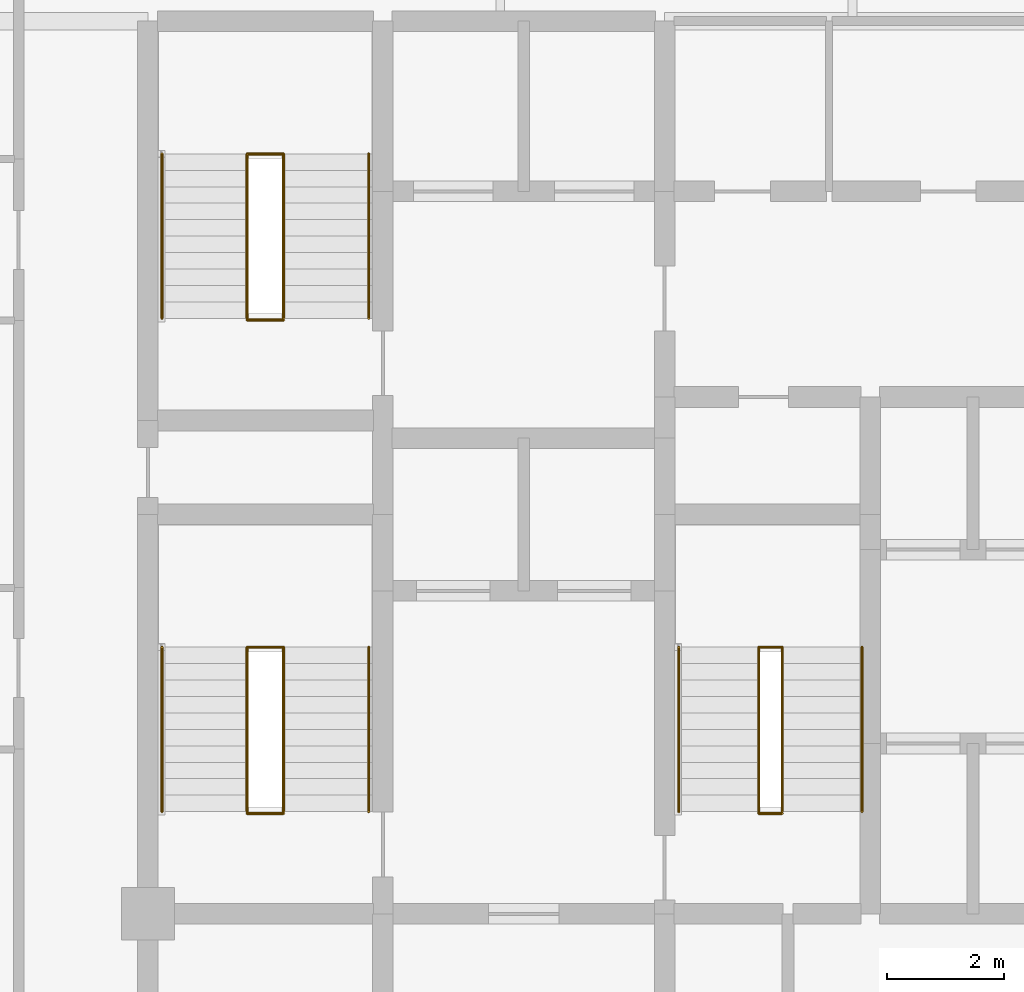
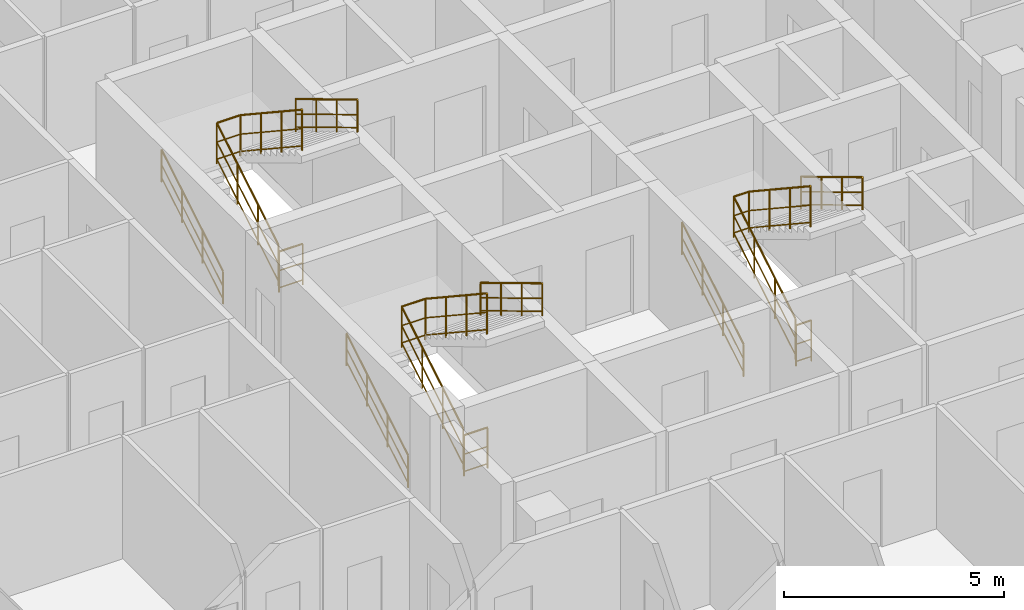
# One storey, part 32 of 32: 12 railings.
"""IFC4 building model written with IfcOpenShell, lengths in metres."""

from ifc_helpers import new_model, si_unit, direction, frame, origin, origin_2d, place, context, subcontext, project, spatial, circle, extrude, material, layer, layer_set, type_object, element, save


model = new_model("IFC4")

# Units and contexts
model_context = context("Model", 3, precision=1e-05, world=origin(), true_north=direction((0.0, 1.0)))
body_context = subcontext(model_context, "Body", "Model", "MODEL_VIEW")
ifc_project = project(units=[si_unit("LENGTHUNIT", "METRE"), si_unit("AREAUNIT", "SQUARE_METRE"), si_unit("VOLUMEUNIT", "CUBIC_METRE"), si_unit("PLANEANGLEUNIT", "RADIAN"), si_unit("MASSUNIT", "GRAM", prefix="KILO")], contexts=[model_context])

# Site, building, storey
site_placement = place(None, origin())
site = spatial("IfcSite", under=ifc_project, at=site_placement, CompositionType="ELEMENT")
building_placement = place(site_placement, origin())
building = spatial("IfcBuilding", under=site, at=building_placement, Name="Keshet Zoharim Tower", CompositionType="ELEMENT")
storey_placement = place(building_placement, frame((0.0, 0.0, 152.0)))
storey = spatial("IfcBuildingStorey", under=building, at=storey_placement, Name="L37", CompositionType="ELEMENT", Elevation=152.0)

# Railings
ifc_material = material(Name="Steel S355", Category="steel")
ifc_layer_1 = layer(ifc_material, 0.050048828125)
ifc_layer_set_1 = layer_set([ifc_layer_1], Name="Steel S355")
railing_type_1 = type_object("IfcRailingType", Name="RL-HND-092", PredefinedType="HANDRAIL", material=ifc_layer_set_1)
railing_1_placement = place(storey_placement, frame((15.239990234375, 24.43994140625, 0.168212890625)))
element("IfcRailing", 1, at=railing_1_placement, inside=storey, type_object=railing_type_1, Name="L37 ST-01 Flight 1 Wall Handrail", PredefinedType="HANDRAIL", context=body_context, shape_type="SweptSolid", body=[
    extrude(circle(Radius=0.02392578125, at=origin_2d()), frame((0.0, 0.0, 0.89599609375), z_axis=(0.0, 0.857242210791, 0.514913383045), x_axis=(-1.0, 0.0, 0.0)), (0.0, 0.0, 1.0), 3.266357421875),
    extrude(circle(Radius=0.01611328125, at=origin_2d()), frame((0.0, 0.0, 0.478271484375), z_axis=(0.0, 0.857242210791, 0.514913383045), x_axis=(-1.0, 0.0, 0.0)), (0.0, 0.0, 1.0), 3.266357421875),
    extrude(circle(Radius=0.01611328125, at=origin_2d()), frame((0.0, 0.0, 0.1201171875), z_axis=(0.0, 0.857242210791, 0.514913383045), x_axis=(-1.0, 0.0, 0.0)), (0.0, 0.0, 1.0), 3.266357421875),
    extrude(circle(Radius=0.02099609375, at=origin_2d()), origin(), (0.0, 0.0, 1.0), 0.871826171875),
    extrude(circle(Radius=0.02099609375, at=origin_2d()), frame((0.0, 0.933349609375, 0.560546875)), (0.0, 0.0, 1.0), 0.871826171875),
    extrude(circle(Radius=0.02099609375, at=origin_2d()), frame((0.0, 1.86669921875, 1.121337890625)), (0.0, 0.0, 1.0), 0.871826171875),
    extrude(circle(Radius=0.02099609375, at=origin_2d()), frame((0.0, 2.800048828125, 1.681884765625)), (0.0, 0.0, 1.0), 0.871826171875),
])
railing_2_placement = place(storey_placement, frame((18.760009765625, 27.239990234375, 2.018310546875)))
element("IfcRailing", 2, at=railing_2_placement, inside=storey, type_object=railing_type_1, Name="L37 ST-01 Flight 2 Wall Handrail", PredefinedType="HANDRAIL", context=body_context, shape_type="SweptSolid", body=[
    extrude(circle(Radius=0.02392578125, at=origin_2d()), frame((0.0, 0.0, 0.89599609375), z_axis=(0.0, -0.857275202839, 0.514858452973), x_axis=(1.0, 0.0, 0.0)), (0.0, 0.0, 1.0), 3.26611328125),
    extrude(circle(Radius=0.01611328125, at=origin_2d()), frame((0.0, 0.0, 0.478271484375), z_axis=(0.0, -0.857275202839, 0.514858452973), x_axis=(1.0, 0.0, 0.0)), (0.0, 0.0, 1.0), 3.26611328125),
    extrude(circle(Radius=0.01611328125, at=origin_2d()), frame((0.0, 0.0, 0.1201171875), z_axis=(0.0, -0.857275202839, 0.514858452973), x_axis=(1.0, 0.0, 0.0)), (0.0, 0.0, 1.0), 3.26611328125),
    extrude(circle(Radius=0.02099609375, at=origin_2d()), origin(), (0.0, 0.0, 1.0), 0.871826171875),
    extrude(circle(Radius=0.02099609375, at=origin_2d()), frame((0.0, -0.933349609375, 0.560546875)), (0.0, 0.0, 1.0), 0.871826171875),
    extrude(circle(Radius=0.02099609375, at=origin_2d()), frame((0.0, -1.86669921875, 1.12109375)), (0.0, 0.0, 1.0), 0.871826171875),
    extrude(circle(Radius=0.02099609375, at=origin_2d()), frame((0.0, -2.800048828125, 1.681640625)), (0.0, 0.0, 1.0), 0.871826171875),
])
railing_3_placement = place(storey_placement, frame((15.239990234375, 32.840087890625, 0.168212890625)))
element("IfcRailing", 3, at=railing_3_placement, inside=storey, type_object=railing_type_1, Name="L37 ST-02 Flight 1 Wall Handrail", PredefinedType="HANDRAIL", context=body_context, shape_type="SweptSolid", body=[
    extrude(circle(Radius=0.02392578125, at=origin_2d()), frame((0.0, 0.0, 0.89599609375), z_axis=(0.0, 0.857222391501, 0.514946377315), x_axis=(-1.0, 0.0, 0.0)), (0.0, 0.0, 1.0), 3.26611328125),
    extrude(circle(Radius=0.01611328125, at=origin_2d()), frame((0.0, 0.0, 0.478271484375), z_axis=(0.0, 0.857222391501, 0.514946377315), x_axis=(-1.0, 0.0, 0.0)), (0.0, 0.0, 1.0), 3.26611328125),
    extrude(circle(Radius=0.01611328125, at=origin_2d()), frame((0.0, 0.0, 0.1201171875), z_axis=(0.0, 0.857222391501, 0.514946377315), x_axis=(-1.0, 0.0, 0.0)), (0.0, 0.0, 1.0), 3.26611328125),
    extrude(circle(Radius=0.02099609375, at=origin_2d()), origin(), (0.0, 0.0, 1.0), 0.871826171875),
    extrude(circle(Radius=0.02099609375, at=origin_2d()), frame((0.0, 0.933349609375, 0.560546875)), (0.0, 0.0, 1.0), 0.871826171875),
    extrude(circle(Radius=0.02099609375, at=origin_2d()), frame((0.0, 1.866455078125, 1.121337890625)), (0.0, 0.0, 1.0), 0.871826171875),
    extrude(circle(Radius=0.02099609375, at=origin_2d()), frame((0.0, 2.7998046875, 1.681884765625)), (0.0, 0.0, 1.0), 0.871826171875),
])
railing_4_placement = place(storey_placement, frame((18.760009765625, 35.639892578125, 2.018310546875)))
element("IfcRailing", 4, at=railing_4_placement, inside=storey, type_object=railing_type_1, Name="L37 ST-02 Flight 2 Wall Handrail", PredefinedType="HANDRAIL", context=body_context, shape_type="SweptSolid", body=[
    extrude(circle(Radius=0.02392578125, at=origin_2d()), frame((0.0, 0.0, 0.89599609375), z_axis=(0.0, -0.857255387014, 0.514891446264), x_axis=(1.0, 0.0, 0.0)), (0.0, 0.0, 1.0), 3.26611328125),
    extrude(circle(Radius=0.01611328125, at=origin_2d()), frame((0.0, 0.0, 0.478271484375), z_axis=(0.0, -0.857255387014, 0.514891446264), x_axis=(1.0, 0.0, 0.0)), (0.0, 0.0, 1.0), 3.26611328125),
    extrude(circle(Radius=0.01611328125, at=origin_2d()), frame((0.0, 0.0, 0.1201171875), z_axis=(0.0, -0.857255387014, 0.514891446264), x_axis=(1.0, 0.0, 0.0)), (0.0, 0.0, 1.0), 3.26611328125),
    extrude(circle(Radius=0.02099609375, at=origin_2d()), origin(), (0.0, 0.0, 1.0), 0.871826171875),
    extrude(circle(Radius=0.02099609375, at=origin_2d()), frame((0.0, -0.933349609375, 0.560546875)), (0.0, 0.0, 1.0), 0.871826171875),
    extrude(circle(Radius=0.02099609375, at=origin_2d()), frame((0.0, -1.866455078125, 1.12109375)), (0.0, 0.0, 1.0), 0.871826171875),
    extrude(circle(Radius=0.02099609375, at=origin_2d()), frame((0.0, -2.7998046875, 1.681640625)), (0.0, 0.0, 1.0), 0.871826171875),
])
railing_5_placement = place(storey_placement, frame((24.0400390625, 24.43994140625, 0.168212890625)))
element("IfcRailing", 5, at=railing_5_placement, inside=storey, type_object=railing_type_1, Name="L37 ST-03 Flight 1 Wall Handrail", PredefinedType="HANDRAIL", context=body_context, shape_type="SweptSolid", body=[
    extrude(circle(Radius=0.02392578125, at=origin_2d()), frame((0.0, 0.0, 0.89599609375), z_axis=(0.0, 0.857242210791, 0.514913383045), x_axis=(-1.0, 0.0, 0.0)), (0.0, 0.0, 1.0), 3.266357421875),
    extrude(circle(Radius=0.01611328125, at=origin_2d()), frame((0.0, 0.0, 0.478271484375), z_axis=(0.0, 0.857242210791, 0.514913383045), x_axis=(-1.0, 0.0, 0.0)), (0.0, 0.0, 1.0), 3.266357421875),
    extrude(circle(Radius=0.01611328125, at=origin_2d()), frame((0.0, 0.0, 0.1201171875), z_axis=(0.0, 0.857242210791, 0.514913383045), x_axis=(-1.0, 0.0, 0.0)), (0.0, 0.0, 1.0), 3.266357421875),
    extrude(circle(Radius=0.02099609375, at=origin_2d()), origin(), (0.0, 0.0, 1.0), 0.871826171875),
    extrude(circle(Radius=0.02099609375, at=origin_2d()), frame((0.0, 0.933349609375, 0.560546875)), (0.0, 0.0, 1.0), 0.871826171875),
    extrude(circle(Radius=0.02099609375, at=origin_2d()), frame((0.0, 1.86669921875, 1.121337890625)), (0.0, 0.0, 1.0), 0.871826171875),
    extrude(circle(Radius=0.02099609375, at=origin_2d()), frame((0.0, 2.800048828125, 1.681884765625)), (0.0, 0.0, 1.0), 0.871826171875),
])
railing_6_placement = place(storey_placement, frame((27.159912109375, 27.239990234375, 2.018310546875)))
element("IfcRailing", 6, at=railing_6_placement, inside=storey, type_object=railing_type_1, Name="L37 ST-03 Flight 2 Wall Handrail", PredefinedType="HANDRAIL", context=body_context, shape_type="SweptSolid", body=[
    extrude(circle(Radius=0.02392578125, at=origin_2d()), frame((0.0, 0.0, 0.89599609375), z_axis=(0.0, -0.857275202839, 0.514858452973), x_axis=(1.0, 0.0, 0.0)), (0.0, 0.0, 1.0), 3.26611328125),
    extrude(circle(Radius=0.01611328125, at=origin_2d()), frame((0.0, 0.0, 0.478271484375), z_axis=(0.0, -0.857275202839, 0.514858452973), x_axis=(1.0, 0.0, 0.0)), (0.0, 0.0, 1.0), 3.26611328125),
    extrude(circle(Radius=0.01611328125, at=origin_2d()), frame((0.0, 0.0, 0.1201171875), z_axis=(0.0, -0.857275202839, 0.514858452973), x_axis=(1.0, 0.0, 0.0)), (0.0, 0.0, 1.0), 3.26611328125),
    extrude(circle(Radius=0.02099609375, at=origin_2d()), origin(), (0.0, 0.0, 1.0), 0.871826171875),
    extrude(circle(Radius=0.02099609375, at=origin_2d()), frame((0.0, -0.933349609375, 0.560546875)), (0.0, 0.0, 1.0), 0.871826171875),
    extrude(circle(Radius=0.02099609375, at=origin_2d()), frame((0.0, -1.86669921875, 1.12109375)), (0.0, 0.0, 1.0), 0.871826171875),
    extrude(circle(Radius=0.02099609375, at=origin_2d()), frame((0.0, -2.800048828125, 1.681640625)), (0.0, 0.0, 1.0), 0.871826171875),
])
ifc_layer_2 = layer(ifc_material, 0.06005859375)
ifc_layer_set_2 = layer_set([ifc_layer_2], Name="Steel S355")
railing_type_2 = type_object("IfcRailingType", Name="RL-STG-115", PredefinedType="GUARDRAIL", material=ifc_layer_set_2)
railing_7_placement = place(storey_placement, frame((16.68994140625, 24.43994140625, 0.168212890625)))
element("IfcRailing", 7, at=railing_7_placement, inside=storey, type_object=railing_type_2, Name="L37 ST-01 Inner Well Guardrail", PredefinedType="GUARDRAIL", context=body_context, shape_type="SweptSolid", body=[
    extrude(circle(Radius=0.02392578125, at=origin_2d()), frame((0.0, 0.0, 1.1259765625), z_axis=(0.0, 0.857242210791, 0.514913383045), x_axis=(-1.0, 0.0, 0.0)), (0.0, 0.0, 1.0), 3.266357421875),
    extrude(circle(Radius=0.01611328125, at=origin_2d()), frame((0.0, 0.0, 0.597900390625), z_axis=(0.0, 0.857242210791, 0.514913383045), x_axis=(-1.0, 0.0, 0.0)), (0.0, 0.0, 1.0), 3.266357421875),
    extrude(circle(Radius=0.01611328125, at=origin_2d()), frame((0.0, 0.0, 0.1201171875), z_axis=(0.0, 0.857242210791, 0.514913383045), x_axis=(-1.0, 0.0, 0.0)), (0.0, 0.0, 1.0), 3.266357421875),
    extrude(circle(Radius=0.02392578125, at=origin_2d()), frame((0.0, 2.800048828125, 2.8076171875), z_axis=(1.0, 0.0, 0.0), x_axis=(0.0, 1.0, 0.0)), (0.0, 0.0, 1.0), 0.6201171875),
    extrude(circle(Radius=0.01611328125, at=origin_2d()), frame((0.0, 2.800048828125, 2.27978515625), z_axis=(1.0, 0.0, 0.0), x_axis=(0.0, 1.0, 0.0)), (0.0, 0.0, 1.0), 0.6201171875),
    extrude(circle(Radius=0.01611328125, at=origin_2d()), frame((0.0, 2.800048828125, 1.802001953125), z_axis=(1.0, 0.0, 0.0), x_axis=(0.0, 1.0, 0.0)), (0.0, 0.0, 1.0), 0.6201171875),
    extrude(circle(Radius=0.02392578125, at=origin_2d()), frame((0.6201171875, 2.800048828125, 2.8076171875), z_axis=(0.0, -0.83435981716, 0.551220187865), x_axis=(1.0, 0.0, 0.0)), (0.0, 0.0, 1.0), 3.35595703125),
    extrude(circle(Radius=0.01611328125, at=origin_2d()), frame((0.6201171875, 2.800048828125, 2.27978515625), z_axis=(0.0, -0.83435981716, 0.551220187865), x_axis=(1.0, 0.0, 0.0)), (0.0, 0.0, 1.0), 3.35595703125),
    extrude(circle(Radius=0.01611328125, at=origin_2d()), frame((0.6201171875, 2.800048828125, 1.802001953125), z_axis=(0.0, -0.83435981716, 0.551220187865), x_axis=(1.0, 0.0, 0.0)), (0.0, 0.0, 1.0), 3.35595703125),
    extrude(circle(Radius=0.02099609375, at=origin_2d()), origin(), (0.0, 0.0, 1.0), 1.101806640625),
    extrude(circle(Radius=0.02099609375, at=origin_2d()), frame((0.0, 0.933349609375, 0.560546875)), (0.0, 0.0, 1.0), 1.101806640625),
    extrude(circle(Radius=0.02099609375, at=origin_2d()), frame((0.0, 1.86669921875, 1.121337890625)), (0.0, 0.0, 1.0), 1.101806640625),
    extrude(circle(Radius=0.02099609375, at=origin_2d()), frame((0.0, 2.800048828125, 1.681884765625)), (0.0, 0.0, 1.0), 1.101806640625),
    extrude(circle(Radius=0.02099609375, at=origin_2d()), frame((0.6201171875, 2.800048828125, 1.681884765625)), (0.0, 0.0, 1.0), 1.101806640625),
    extrude(circle(Radius=0.02099609375, at=origin_2d()), frame((0.6201171875, 1.86669921875, 2.298583984375)), (0.0, 0.0, 1.0), 1.101806640625),
    extrude(circle(Radius=0.02099609375, at=origin_2d()), frame((0.6201171875, 0.933349609375, 2.9150390625)), (0.0, 0.0, 1.0), 1.101806640625),
    extrude(circle(Radius=0.02099609375, at=origin_2d()), frame((0.6201171875, 0.0, 3.53173828125)), (0.0, 0.0, 1.0), 1.101806640625),
])
railing_8_placement = place(storey_placement, frame((16.68994140625, 24.409912109375, 0.0)))
element("IfcRailing", 8, at=railing_8_placement, inside=storey, type_object=railing_type_2, Name="L37 ST-01 Stairwell Floor Guardrail", PredefinedType="GUARDRAIL", context=body_context, shape_type="SweptSolid", body=[
    extrude(circle(Radius=0.02392578125, at=origin_2d()), frame((0.0, 0.0, 1.1259765625), z_axis=(1.0, 0.0, 0.0), x_axis=(0.0, 1.0, 0.0)), (0.0, 0.0, 1.0), 0.6201171875),
    extrude(circle(Radius=0.01611328125, at=origin_2d()), frame((0.0, 0.0, 0.597900390625), z_axis=(1.0, 0.0, 0.0), x_axis=(0.0, 1.0, 0.0)), (0.0, 0.0, 1.0), 0.6201171875),
    extrude(circle(Radius=0.01611328125, at=origin_2d()), frame((0.0, 0.0, 0.1201171875), z_axis=(1.0, 0.0, 0.0), x_axis=(0.0, 1.0, 0.0)), (0.0, 0.0, 1.0), 0.6201171875),
    extrude(circle(Radius=0.02099609375, at=origin_2d()), origin(), (0.0, 0.0, 1.0), 1.101806640625),
    extrude(circle(Radius=0.02099609375, at=origin_2d()), frame((0.6201171875, 0.0, 0.0)), (0.0, 0.0, 1.0), 1.101806640625),
])
railing_9_placement = place(storey_placement, frame((16.68994140625, 32.840087890625, 0.168212890625)))
element("IfcRailing", 9, at=railing_9_placement, inside=storey, type_object=railing_type_2, Name="L37 ST-02 Inner Well Guardrail", PredefinedType="GUARDRAIL", context=body_context, shape_type="SweptSolid", body=[
    extrude(circle(Radius=0.02392578125, at=origin_2d()), frame((0.0, 0.0, 1.1259765625), z_axis=(0.0, 0.857222391501, 0.514946377315), x_axis=(-1.0, 0.0, 0.0)), (0.0, 0.0, 1.0), 3.26611328125),
    extrude(circle(Radius=0.01611328125, at=origin_2d()), frame((0.0, 0.0, 0.597900390625), z_axis=(0.0, 0.857222391501, 0.514946377315), x_axis=(-1.0, 0.0, 0.0)), (0.0, 0.0, 1.0), 3.26611328125),
    extrude(circle(Radius=0.01611328125, at=origin_2d()), frame((0.0, 0.0, 0.1201171875), z_axis=(0.0, 0.857222391501, 0.514946377315), x_axis=(-1.0, 0.0, 0.0)), (0.0, 0.0, 1.0), 3.26611328125),
    extrude(circle(Radius=0.02392578125, at=origin_2d()), frame((0.0, 2.7998046875, 2.8076171875), z_axis=(1.0, 0.0, 0.0), x_axis=(0.0, 1.0, 0.0)), (0.0, 0.0, 1.0), 0.6201171875),
    extrude(circle(Radius=0.01611328125, at=origin_2d()), frame((0.0, 2.7998046875, 2.27978515625), z_axis=(1.0, 0.0, 0.0), x_axis=(0.0, 1.0, 0.0)), (0.0, 0.0, 1.0), 0.6201171875),
    extrude(circle(Radius=0.01611328125, at=origin_2d()), frame((0.0, 2.7998046875, 1.802001953125), z_axis=(1.0, 0.0, 0.0), x_axis=(0.0, 1.0, 0.0)), (0.0, 0.0, 1.0), 0.6201171875),
    extrude(circle(Radius=0.02392578125, at=origin_2d()), frame((0.6201171875, 2.7998046875, 2.8076171875), z_axis=(0.0, -0.834337710781, 0.551253647941), x_axis=(1.0, 0.0, 0.0)), (0.0, 0.0, 1.0), 3.355712890625),
    extrude(circle(Radius=0.01611328125, at=origin_2d()), frame((0.6201171875, 2.7998046875, 2.27978515625), z_axis=(0.0, -0.834337710781, 0.551253647941), x_axis=(1.0, 0.0, 0.0)), (0.0, 0.0, 1.0), 3.355712890625),
    extrude(circle(Radius=0.01611328125, at=origin_2d()), frame((0.6201171875, 2.7998046875, 1.802001953125), z_axis=(0.0, -0.834337710781, 0.551253647941), x_axis=(1.0, 0.0, 0.0)), (0.0, 0.0, 1.0), 3.355712890625),
    extrude(circle(Radius=0.02099609375, at=origin_2d()), origin(), (0.0, 0.0, 1.0), 1.101806640625),
    extrude(circle(Radius=0.02099609375, at=origin_2d()), frame((0.0, 0.933349609375, 0.560546875)), (0.0, 0.0, 1.0), 1.101806640625),
    extrude(circle(Radius=0.02099609375, at=origin_2d()), frame((0.0, 1.866455078125, 1.121337890625)), (0.0, 0.0, 1.0), 1.101806640625),
    extrude(circle(Radius=0.02099609375, at=origin_2d()), frame((0.0, 2.7998046875, 1.681884765625)), (0.0, 0.0, 1.0), 1.101806640625),
    extrude(circle(Radius=0.02099609375, at=origin_2d()), frame((0.6201171875, 2.7998046875, 1.681884765625)), (0.0, 0.0, 1.0), 1.101806640625),
    extrude(circle(Radius=0.02099609375, at=origin_2d()), frame((0.6201171875, 1.866455078125, 2.298583984375)), (0.0, 0.0, 1.0), 1.101806640625),
    extrude(circle(Radius=0.02099609375, at=origin_2d()), frame((0.6201171875, 0.933349609375, 2.9150390625)), (0.0, 0.0, 1.0), 1.101806640625),
    extrude(circle(Radius=0.02099609375, at=origin_2d()), frame((0.6201171875, 0.0, 3.53173828125)), (0.0, 0.0, 1.0), 1.101806640625),
])
railing_10_placement = place(storey_placement, frame((16.68994140625, 32.81005859375, 0.0)))
element("IfcRailing", 10, at=railing_10_placement, inside=storey, type_object=railing_type_2, Name="L37 ST-02 Stairwell Floor Guardrail", PredefinedType="GUARDRAIL", context=body_context, shape_type="SweptSolid", body=[
    extrude(circle(Radius=0.02392578125, at=origin_2d()), frame((0.0, 0.0, 1.1259765625), z_axis=(1.0, 0.0, 0.0), x_axis=(0.0, 1.0, 0.0)), (0.0, 0.0, 1.0), 0.6201171875),
    extrude(circle(Radius=0.01611328125, at=origin_2d()), frame((0.0, 0.0, 0.597900390625), z_axis=(1.0, 0.0, 0.0), x_axis=(0.0, 1.0, 0.0)), (0.0, 0.0, 1.0), 0.6201171875),
    extrude(circle(Radius=0.01611328125, at=origin_2d()), frame((0.0, 0.0, 0.1201171875), z_axis=(1.0, 0.0, 0.0), x_axis=(0.0, 1.0, 0.0)), (0.0, 0.0, 1.0), 0.6201171875),
    extrude(circle(Radius=0.02099609375, at=origin_2d()), origin(), (0.0, 0.0, 1.0), 1.101806640625),
    extrude(circle(Radius=0.02099609375, at=origin_2d()), frame((0.6201171875, 0.0, 0.0)), (0.0, 0.0, 1.0), 1.101806640625),
])
railing_11_placement = place(storey_placement, frame((25.39990234375, 24.43994140625, 0.168212890625)))
element("IfcRailing", 11, at=railing_11_placement, inside=storey, type_object=railing_type_2, Name="L37 ST-03 Inner Well Guardrail", PredefinedType="GUARDRAIL", context=body_context, shape_type="SweptSolid", body=[
    extrude(circle(Radius=0.02392578125, at=origin_2d()), frame((0.0, 0.0, 1.1259765625), z_axis=(0.0, 0.857242210791, 0.514913383045), x_axis=(-1.0, 0.0, 0.0)), (0.0, 0.0, 1.0), 3.266357421875),
    extrude(circle(Radius=0.01611328125, at=origin_2d()), frame((0.0, 0.0, 0.597900390625), z_axis=(0.0, 0.857242210791, 0.514913383045), x_axis=(-1.0, 0.0, 0.0)), (0.0, 0.0, 1.0), 3.266357421875),
    extrude(circle(Radius=0.01611328125, at=origin_2d()), frame((0.0, 0.0, 0.1201171875), z_axis=(0.0, 0.857242210791, 0.514913383045), x_axis=(-1.0, 0.0, 0.0)), (0.0, 0.0, 1.0), 3.266357421875),
    extrude(circle(Radius=0.02392578125, at=origin_2d()), frame((0.0, 2.800048828125, 2.8076171875), z_axis=(1.0, 0.0, 0.0), x_axis=(0.0, 1.0, 0.0)), (0.0, 0.0, 1.0), 0.400146484375),
    extrude(circle(Radius=0.01611328125, at=origin_2d()), frame((0.0, 2.800048828125, 2.27978515625), z_axis=(1.0, 0.0, 0.0), x_axis=(0.0, 1.0, 0.0)), (0.0, 0.0, 1.0), 0.400146484375),
    extrude(circle(Radius=0.01611328125, at=origin_2d()), frame((0.0, 2.800048828125, 1.802001953125), z_axis=(1.0, 0.0, 0.0), x_axis=(0.0, 1.0, 0.0)), (0.0, 0.0, 1.0), 0.400146484375),
    extrude(circle(Radius=0.02392578125, at=origin_2d()), frame((0.400146484375, 2.800048828125, 2.8076171875), z_axis=(0.0, -0.83435981716, 0.551220187865), x_axis=(1.0, 0.0, 0.0)), (0.0, 0.0, 1.0), 3.35595703125),
    extrude(circle(Radius=0.01611328125, at=origin_2d()), frame((0.400146484375, 2.800048828125, 2.27978515625), z_axis=(0.0, -0.83435981716, 0.551220187865), x_axis=(1.0, 0.0, 0.0)), (0.0, 0.0, 1.0), 3.35595703125),
    extrude(circle(Radius=0.01611328125, at=origin_2d()), frame((0.400146484375, 2.800048828125, 1.802001953125), z_axis=(0.0, -0.83435981716, 0.551220187865), x_axis=(1.0, 0.0, 0.0)), (0.0, 0.0, 1.0), 3.35595703125),
    extrude(circle(Radius=0.02099609375, at=origin_2d()), origin(), (0.0, 0.0, 1.0), 1.101806640625),
    extrude(circle(Radius=0.02099609375, at=origin_2d()), frame((0.0, 0.933349609375, 0.560546875)), (0.0, 0.0, 1.0), 1.101806640625),
    extrude(circle(Radius=0.02099609375, at=origin_2d()), frame((0.0, 1.86669921875, 1.121337890625)), (0.0, 0.0, 1.0), 1.101806640625),
    extrude(circle(Radius=0.02099609375, at=origin_2d()), frame((0.0, 2.800048828125, 1.681884765625)), (0.0, 0.0, 1.0), 1.101806640625),
    extrude(circle(Radius=0.02099609375, at=origin_2d()), frame((0.400146484375, 2.800048828125, 1.681884765625)), (0.0, 0.0, 1.0), 1.101806640625),
    extrude(circle(Radius=0.02099609375, at=origin_2d()), frame((0.400146484375, 1.86669921875, 2.298583984375)), (0.0, 0.0, 1.0), 1.101806640625),
    extrude(circle(Radius=0.02099609375, at=origin_2d()), frame((0.400146484375, 0.933349609375, 2.9150390625)), (0.0, 0.0, 1.0), 1.101806640625),
    extrude(circle(Radius=0.02099609375, at=origin_2d()), frame((0.400146484375, 0.0, 3.53173828125)), (0.0, 0.0, 1.0), 1.101806640625),
])
railing_12_placement = place(storey_placement, frame((25.39990234375, 24.409912109375, 0.0)))
element("IfcRailing", 12, at=railing_12_placement, inside=storey, type_object=railing_type_2, Name="L37 ST-03 Stairwell Floor Guardrail", PredefinedType="GUARDRAIL", context=body_context, shape_type="SweptSolid", body=[
    extrude(circle(Radius=0.02392578125, at=origin_2d()), frame((0.0, 0.0, 1.1259765625), z_axis=(1.0, 0.0, 0.0), x_axis=(0.0, 1.0, 0.0)), (0.0, 0.0, 1.0), 0.400146484375),
    extrude(circle(Radius=0.01611328125, at=origin_2d()), frame((0.0, 0.0, 0.597900390625), z_axis=(1.0, 0.0, 0.0), x_axis=(0.0, 1.0, 0.0)), (0.0, 0.0, 1.0), 0.400146484375),
    extrude(circle(Radius=0.01611328125, at=origin_2d()), frame((0.0, 0.0, 0.1201171875), z_axis=(1.0, 0.0, 0.0), x_axis=(0.0, 1.0, 0.0)), (0.0, 0.0, 1.0), 0.400146484375),
    extrude(circle(Radius=0.02099609375, at=origin_2d()), origin(), (0.0, 0.0, 1.0), 1.101806640625),
    extrude(circle(Radius=0.02099609375, at=origin_2d()), frame((0.400146484375, 0.0, 0.0)), (0.0, 0.0, 1.0), 1.101806640625),
])

save(model, "model.ifc")
